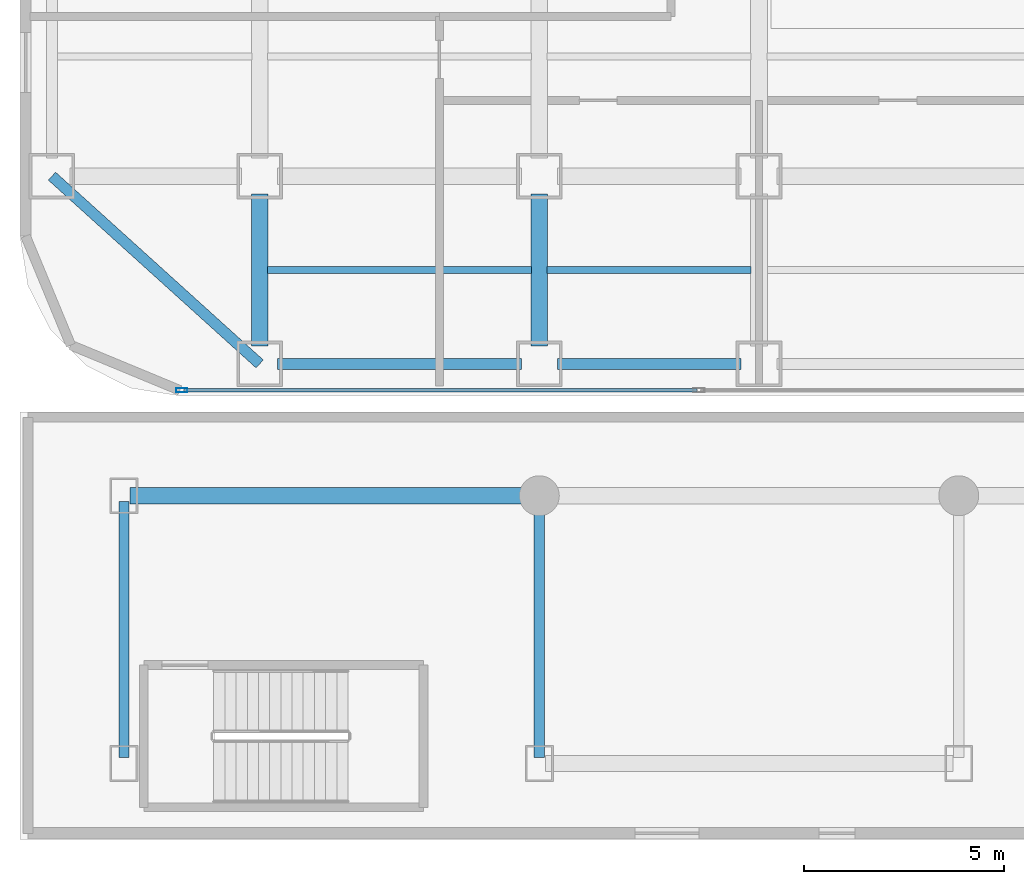
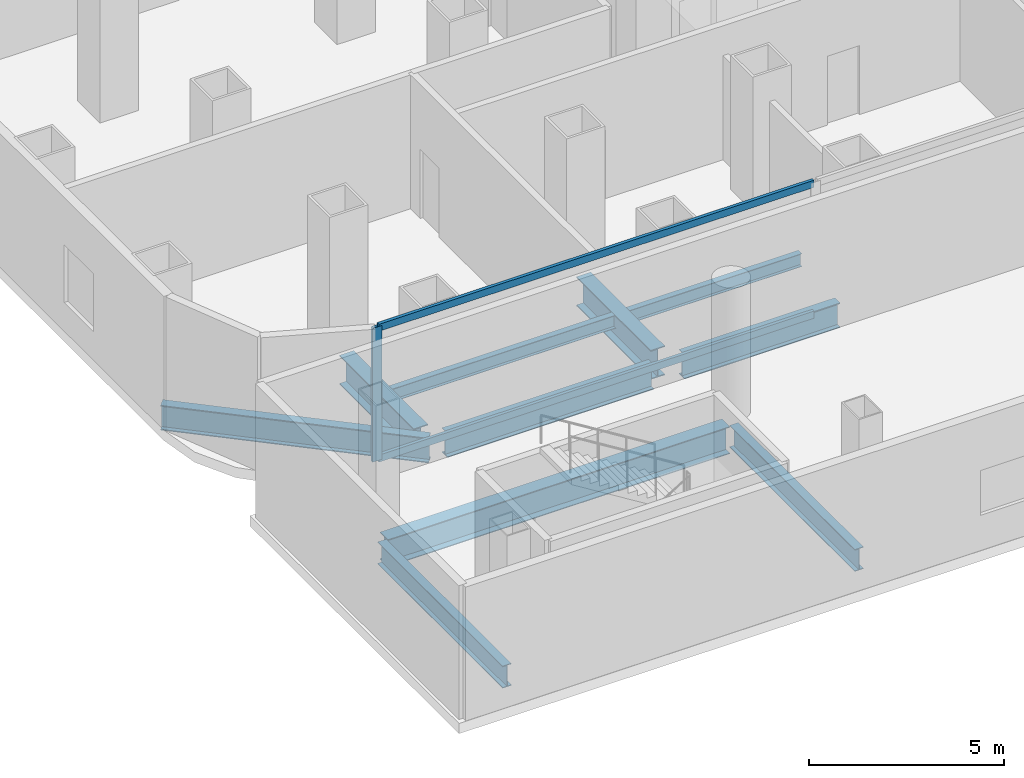
# One storey, part 6 of 27: 10 beams, 3 members, 1 element without a shape of its own.
"""IFC4 building model written with IfcOpenShell, lengths in metres."""

import ifcopenshell
import ifcopenshell.guid

model = None  # the IFC model being written
_history = None  # IfcOwnerHistory: only IFC2X3 demands one
_inside = {}  # id of a spatial element -> (the spatial element, [elements in it])
_under = {}  # id of a project, library or spatial element -> (it, [spatial elements below it])
_declared = {}  # id of a project -> (the project, [libraries it declares])
_typed = {}  # id of a type object -> (the type object, [elements of that type])
_made_of = {}  # id of a material, layer set ... -> (it, [elements and type objects made of it])


def new_model(schema):
    """Start an empty IFC model of exactly this schema.

    Asked for "IFC4X3", IfcOpenShell would pick the latest addendum, in which some entities
    have other attributes; the version numbers below select the first issue.
    IFC2X3 requires an IfcOwnerHistory on every rooted entity: one is made here for all.
    """
    global model, _history
    if schema == "IFC4X3":
        model = ifcopenshell.file(schema_version=(4, 3, 0, 0))
    else:
        model = ifcopenshell.file(schema=schema)
    _inside.clear()
    _under.clear()
    _declared.clear()
    _typed.clear()
    _made_of.clear()
    _history = None
    if model.schema == "IFC2X3":
        org = make("IfcOrganization", Name="unknown")
        user = make(
            "IfcPersonAndOrganization",
            ThePerson=make("IfcPerson", FamilyName="unknown"),
            TheOrganization=org,
        )
        app = make(
            "IfcApplication",
            ApplicationDeveloper=org,
            Version="unknown",
            ApplicationFullName="unknown",
            ApplicationIdentifier="unknown",
        )
        _history = make(
            "IfcOwnerHistory",
            OwningUser=user,
            OwningApplication=app,
            ChangeAction="ADDED",
            CreationDate=0,
        )
    return model


def make(cls, **values):
    """One entity of the class cls with the attributes given. An attribute that is None is left unset."""
    return model.create_entity(
        cls, **{name: value for name, value in values.items() if value is not None}
    )


def rooted(cls, **values):
    """An entity with a GlobalId (a new one), such as an element, a storey or a relation."""
    return make(cls, GlobalId=ifcopenshell.guid.new(), OwnerHistory=_history, **values)


def si_unit(unit_type, name, prefix=None):
    """IfcSIUnit, for example si_unit("LENGTHUNIT", "METRE", prefix="MILLI")."""
    return make("IfcSIUnit", UnitType=unit_type, Prefix=prefix, Name=name)


def assignment(units):
    """IfcUnitAssignment: the units of a project."""
    return None if units is None else make("IfcUnitAssignment", Units=units)


def point(xyz):
    """IfcCartesianPoint."""
    return None if xyz is None else make("IfcCartesianPoint", Coordinates=xyz)


def direction(xyz):
    """IfcDirection."""
    return None if xyz is None else make("IfcDirection", DirectionRatios=xyz)


def frame(location, z_axis=None, x_axis=None):
    """IfcAxis2Placement3D, a coordinate frame: its origin and axes. An axis left out is left unset."""
    return make(
        "IfcAxis2Placement3D",
        Location=point(location),
        Axis=direction(z_axis),
        RefDirection=direction(x_axis),
    )


def frame_2d(location, x_axis=None):
    """IfcAxis2Placement2D, a coordinate frame in the plane: its origin and x axis."""
    return make(
        "IfcAxis2Placement2D", Location=point(location), RefDirection=direction(x_axis)
    )


def origin():
    """The frame at (0, 0, 0) with its axes left unset."""
    return frame((0.0, 0.0, 0.0))


def origin_2d():
    """The frame at (0, 0) in the plane with its x axis left unset."""
    return frame_2d((0.0, 0.0))


def place(relative_to, where):
    """IfcLocalPlacement: puts the frame where relative to a parent placement (None: the world)."""
    return make(
        "IfcLocalPlacement", PlacementRelTo=relative_to, RelativePlacement=where
    )


def context(
    kind, dimensions, precision=None, world=None, true_north=None, identifier=None
):
    """IfcGeometricRepresentationContext, for example the 3D "Model" context."""
    return make(
        "IfcGeometricRepresentationContext",
        ContextIdentifier=identifier,
        ContextType=kind,
        CoordinateSpaceDimension=dimensions,
        Precision=precision,
        WorldCoordinateSystem=world,
        TrueNorth=true_north,
    )


def subcontext(parent, identifier, kind, view, scale=None):
    """IfcGeometricRepresentationSubContext, for example "Body" below "Model"."""
    return make(
        "IfcGeometricRepresentationSubContext",
        ContextIdentifier=identifier,
        ContextType=kind,
        ParentContext=parent,
        TargetScale=scale,
        TargetView=view,
    )


def project(units=None, contexts=None):
    """IfcProject with its units and contexts."""
    return rooted(
        "IfcProject",
        Name="project",
        RepresentationContexts=contexts,
        UnitsInContext=assignment(units),
    )


def spatial(cls, under=None, at=None, **own):
    """A site, building, storey or space (cls), placed at a placement, below another one or the project."""
    s = rooted(cls, ObjectPlacement=at, **own)
    if under is not None:
        _under.setdefault(under.id(), (under, []))[1].append(s)
    return s


def profile(cls, at=None, kind="AREA", **sizes):
    """A parametric profile (cls). Its sizes go by their IFC names, for example OverallWidth=200.0."""
    return make(cls, ProfileType=kind, Position=at, **sizes)


def hollow_rectangle(**sizes):
    """IfcRectangleHollowProfileDef."""
    return profile("IfcRectangleHollowProfileDef", **sizes)


def i_section(**sizes):
    """IfcIShapeProfileDef."""
    return profile("IfcIShapeProfileDef", **sizes)


def extrude(swept, where, along, depth):
    """IfcExtrudedAreaSolid: the profile swept, set in the frame where, extruded along a direction by depth."""
    return make(
        "IfcExtrudedAreaSolid",
        SweptArea=swept,
        Position=where,
        ExtrudedDirection=direction(along),
        Depth=depth,
    )


def shape(context_of_items, identifier, shape_type, items):
    """IfcShapeRepresentation: the items that make up one representation, for example the "Body"."""
    return make(
        "IfcShapeRepresentation",
        ContextOfItems=context_of_items,
        RepresentationIdentifier=identifier,
        RepresentationType=shape_type,
        Items=items,
    )


def source(mapping_origin, context_of_items, identifier, shape_type, items):
    """IfcRepresentationMap: a shape defined once, which mapped items show again and again."""
    return make(
        "IfcRepresentationMap",
        MappingOrigin=mapping_origin,
        MappedRepresentation=shape(context_of_items, identifier, shape_type, items),
    )


def transform(
    local_origin,
    x_axis=None,
    y_axis=None,
    z_axis=None,
    scale=None,
    scale2=None,
    scale3=None,
    uniform=True,
):
    """IfcCartesianTransformationOperator3D, or its non-uniform kind. x_axis, y_axis, z_axis: its Axis1, 2, 3."""
    if uniform:
        return make(
            "IfcCartesianTransformationOperator3D",
            Axis1=direction(x_axis),
            Axis2=direction(y_axis),
            LocalOrigin=point(local_origin),
            Scale=scale,
            Axis3=direction(z_axis),
        )
    return make(
        "IfcCartesianTransformationOperator3DnonUniform",
        Axis1=direction(x_axis),
        Axis2=direction(y_axis),
        LocalOrigin=point(local_origin),
        Scale=scale,
        Axis3=direction(z_axis),
        Scale2=scale2,
        Scale3=scale3,
    )


def mapped(mapping_source, mapping_target):
    """IfcMappedItem: shows the shape of a source again, moved by a transform."""
    return make(
        "IfcMappedItem", MappingSource=mapping_source, MappingTarget=mapping_target
    )


def material(Name=None, Category=None):
    """IfcMaterial."""
    return make("IfcMaterial", Name=Name, Category=Category)


def layer(
    of_material, thickness, ventilated=None, Name=None, Category=None, Priority=None
):
    """IfcMaterialLayer: one layer of a wall or slab, of a material (None: an air gap)."""
    return make(
        "IfcMaterialLayer",
        Material=of_material,
        LayerThickness=thickness,
        IsVentilated=ventilated,
        Name=Name,
        Category=Category,
        Priority=Priority,
    )


def layer_set(layers, Name=None):
    """IfcMaterialLayerSet."""
    return make("IfcMaterialLayerSet", MaterialLayers=layers, LayerSetName=Name)


def material_profile(
    of_material, cross_section, Name=None, Category=None, Priority=None
):
    """IfcMaterialProfile: a cross section and its material."""
    return make(
        "IfcMaterialProfile",
        Name=Name,
        Material=of_material,
        Profile=cross_section,
        Priority=Priority,
        Category=Category,
    )


def profile_set(profiles, Name=None, composite=None):
    """IfcMaterialProfileSet."""
    return make(
        "IfcMaterialProfileSet",
        Name=Name,
        MaterialProfiles=profiles,
        CompositeProfile=composite,
    )


def made_of(thing, what):
    """Note that an element or type object is made of a material, layer set ...; save() writes the relation."""
    if what is not None:
        _made_of.setdefault(what.id(), (what, []))[1].append(thing)
    return thing


def type_object(cls, material=None, **own):
    """A type object (cls), such as IfcWallType, which elements share."""
    return made_of(rooted(cls, **own), material)


def element(
    cls,
    number,
    at=None,
    inside=None,
    cuts=None,
    type_object=None,
    material=None,
    context=None,
    identifier="Body",
    shape_type=None,
    held_by="IfcProductDefinitionShape",
    body=None,
    shapes=None,
    **own,
):
    """One element of the class cls, such as IfcWall. Its Tag is "e" and its number.

    at: its placement. inside: the storey or other place that contains it. cuts: it is an
    opening in that element (IfcRelVoidsElement). A single representation is given by context,
    identifier, shape_type and body (its items); several are given by shapes. held_by: the class
    of the entity that holds the representations. save() writes the other relations.
    """
    e = rooted(cls, Tag="e%d" % number, ObjectPlacement=at, **own)
    if body is not None:
        shapes = [shape(context, identifier, shape_type, body)]
    if shapes is not None:
        e.Representation = make(held_by, Representations=shapes)
    if inside is not None:
        _inside.setdefault(inside.id(), (inside, []))[1].append(e)
    if cuts is not None:
        rooted(
            "IfcRelVoidsElement", RelatingBuildingElement=cuts, RelatedOpeningElement=e
        )
    if type_object is not None:
        _typed.setdefault(type_object.id(), (type_object, []))[1].append(e)
    return made_of(e, material)


def aggregate(whole, parts):
    """IfcRelAggregates: a whole, such as a stair, and the parts it consists of."""
    return rooted("IfcRelAggregates", RelatingObject=whole, RelatedObjects=parts)


def save(model, path):
    """Write the relations noted so far, then the file.

    IfcRelAggregates (storeys below a building ...), IfcRelContainedInSpatialStructure (elements
    in a storey), IfcRelDefinesByType, IfcRelAssociatesMaterial and IfcRelDeclares: one each for
    every whole, place, type object, material and project.
    """
    for whole, parts in _under.values():
        aggregate(whole, parts)
    for where, things in _inside.values():
        rooted(
            "IfcRelContainedInSpatialStructure",
            RelatedElements=things,
            RelatingStructure=where,
        )
    for kind, things in _typed.values():
        rooted("IfcRelDefinesByType", RelatedObjects=things, RelatingType=kind)
    for what, things in _made_of.values():
        rooted("IfcRelAssociatesMaterial", RelatedObjects=things, RelatingMaterial=what)
    for by, libraries in _declared.values():
        rooted("IfcRelDeclares", RelatingContext=by, RelatedDefinitions=libraries)
    model.write(path)


model = new_model("IFC4")

# Units and contexts
model_context = context("Model", 3, precision=1e-05, world=origin(), true_north=direction((0.0, 1.0)))
body_context = subcontext(model_context, "Body", "Model", "MODEL_VIEW")
ifc_project = project(units=[si_unit("LENGTHUNIT", "METRE"), si_unit("AREAUNIT", "SQUARE_METRE"), si_unit("VOLUMEUNIT", "CUBIC_METRE"), si_unit("PLANEANGLEUNIT", "RADIAN"), si_unit("MASSUNIT", "GRAM", prefix="KILO")], contexts=[model_context])

# Site, building, storey
site_placement = place(None, origin())
site = spatial("IfcSite", under=ifc_project, at=site_placement, CompositionType="ELEMENT")
building_placement = place(site_placement, origin())
building = spatial("IfcBuilding", under=site, at=building_placement, Name="Kolveth Station Tower", CompositionType="ELEMENT")
storey_placement = place(building_placement, frame((0.0, 0.0, 13.5)))
storey = spatial("IfcBuildingStorey", under=building, at=storey_placement, Name="L03", CompositionType="ELEMENT", Elevation=13.5)

# Beams
ifc_material_1 = material(Name="Steel S355", Category="steel")
ifc_material_profile_1 = material_profile(ifc_material_1, i_section(OverallWidth=0.26904296875, OverallDepth=0.77490234375, WebThickness=0.01708984375, FlangeThickness=0.0283203125, at=origin_2d()), Name="W760x220")
ifc_profile_set_1 = profile_set([ifc_material_profile_1], Name="Steel S355")
beam_type_1 = type_object("IfcBeamType", Name="Beam_SP1", PredefinedType="SPANDREL", material=ifc_profile_set_1)
shared_shape_1 = source(origin(), body_context, "Body", "SweptSolid", [
    extrude(i_section(OverallWidth=0.26904296875, OverallDepth=0.77490234375, WebThickness=0.01708984375, FlangeThickness=0.0283203125, at=origin_2d()), origin(), (0.0, 0.0, 1.0), 6.10009765625),
])
beam_1_placement = place(storey_placement, frame((6.449951171875, 0.800048828125, -0.70751953125), z_axis=(1.0, 0.0, 0.0), x_axis=(0.0, 1.0, 0.0)))
element("IfcBeam", 1, at=beam_1_placement, inside=storey, type_object=beam_type_1, Name="L03 Perimeter Spandrel BM-L03-PS-1", PredefinedType="SPANDREL", context=body_context, shape_type="MappedRepresentation", body=[
    mapped(shared_shape_1, transform((0.0, 0.0, 0.0), x_axis=(1.0, 0.0, 0.0), y_axis=(0.0, 1.0, 0.0), z_axis=(0.0, 0.0, 1.0), scale=1.0)),
])
shared_shape_2 = source(origin(), body_context, "Body", "SweptSolid", [
    extrude(i_section(OverallWidth=0.26904296875, OverallDepth=0.77490234375, WebThickness=0.01708984375, FlangeThickness=0.0283203125, at=origin_2d()), origin(), (0.0, 0.0, 1.0), 4.60009765625),
])
beam_2_placement = place(storey_placement, frame((13.449951171875, 0.800048828125, -0.70751953125), z_axis=(1.0, 0.0, 0.0), x_axis=(0.0, 1.0, 0.0)))
element("IfcBeam", 2, at=beam_2_placement, inside=storey, type_object=beam_type_1, Name="L03 Perimeter Spandrel BM-L03-PS-2", PredefinedType="SPANDREL", context=body_context, shape_type="MappedRepresentation", body=[
    mapped(shared_shape_2, transform((0.0, 0.0, 0.0), x_axis=(1.0, 0.0, 0.0), y_axis=(0.0, 1.0, 0.0), z_axis=(0.0, 0.0, 1.0), scale=1.0)),
])
shared_shape_3 = source(origin(), body_context, "Body", "SweptSolid", [
    extrude(i_section(OverallWidth=0.26904296875, OverallDepth=0.77490234375, WebThickness=0.01708984375, FlangeThickness=0.0283203125, at=origin_2d()), origin(), (0.0, 0.0, 1.0), 7.00927734375),
])
beam_3_placement = place(storey_placement, frame((0.800048828125, 5.5, -0.70751953125), z_axis=(0.741874009795, -0.670539300557, 0.0), x_axis=(0.670539300557, 0.741874009795, 0.0)))
element("IfcBeam", 3, at=beam_3_placement, inside=storey, type_object=beam_type_1, Name="L03 Corner Edge Girder BM-L03-CNR-SW", PredefinedType="SPANDREL", context=body_context, shape_type="MappedRepresentation", body=[
    mapped(shared_shape_3, transform((0.0, 0.0, 0.0), x_axis=(1.0, 0.0, 0.0), y_axis=(0.0, 1.0, 0.0), z_axis=(0.0, 0.0, 1.0), scale=1.0)),
])
ifc_material_profile_2 = material_profile(ifc_material_1, i_section(OverallWidth=0.41796875, OverallDepth=0.912109375, WebThickness=0.019287109375, FlangeThickness=0.031982421875, at=origin_2d()), Name="W920x342")
ifc_profile_set_2 = profile_set([ifc_material_profile_2], Name="Steel S355")
beam_type_2 = type_object("IfcBeamType", Name="Beam_B1", PredefinedType="BEAM", material=ifc_profile_set_2)
shared_shape_4 = source(origin(), body_context, "Body", "SweptSolid", [
    extrude(i_section(OverallWidth=0.41796875, OverallDepth=0.912109375, WebThickness=0.019287109375, FlangeThickness=0.031982421875, at=origin_2d()), origin(), (0.0, 0.0, 1.0), 3.800048828125),
])
for number, where, z_axis, x_axis, name in (
    (4, (6.0, 1.25, -0.77587890625), (0.0, 1.0, 0.0), (-1.0, 0.0, 0.0), "L03 Primary Girder BM-L03-GX60-1"),
    (5, (13.0, 1.25, -0.77587890625), (0.0, 1.0, 0.0), (-1.0, 0.0, 0.0), "L03 Primary Girder BM-L03-GX130-1"),
):
    element("IfcBeam", number, at=place(storey_placement, frame(where, z_axis=z_axis, x_axis=x_axis)), inside=storey, type_object=beam_type_2, Name=name, PredefinedType="BEAM", context=body_context, shape_type="MappedRepresentation", body=[
        mapped(shared_shape_4, transform((0.0, 0.0, 0.0), x_axis=(1.0, 0.0, 0.0), y_axis=(0.0, 1.0, 0.0), z_axis=(0.0, 0.0, 1.0), scale=1.0)),
    ])
ifc_material_profile_3 = material_profile(ifc_material_1, i_section(OverallWidth=0.177978515625, OverallDepth=0.406982421875, WebThickness=0.0078125, FlangeThickness=0.0126953125, at=origin_2d()), Name="W410x60")
ifc_profile_set_3 = profile_set([ifc_material_profile_3], Name="Steel S355")
beam_type_3 = type_object("IfcBeamType", Name="Beam_J1", PredefinedType="JOIST", material=ifc_profile_set_3)
shared_shape_5 = source(origin(), body_context, "Body", "SweptSolid", [
    extrude(i_section(OverallWidth=0.177978515625, OverallDepth=0.406982421875, WebThickness=0.0078125, FlangeThickness=0.0126953125, at=origin_2d()), origin(), (0.0, 0.0, 1.0), 6.60986328125),
])
beam_4_placement = place(storey_placement, frame((6.195068359375, 3.14990234375, -0.5234375), z_axis=(1.0, 0.0, 0.0), x_axis=(0.0, 1.0, 0.0)))
element("IfcBeam", 6, at=beam_4_placement, inside=storey, type_object=beam_type_3, Name="L03 Secondary Joist JST-L03-2-1", PredefinedType="JOIST", context=body_context, shape_type="MappedRepresentation", body=[
    mapped(shared_shape_5, transform((0.0, 0.0, 0.0), x_axis=(1.0, 0.0, 0.0), y_axis=(0.0, 1.0, 0.0), z_axis=(0.0, 0.0, 1.0), scale=1.0)),
])
shared_shape_6 = source(origin(), body_context, "Body", "SweptSolid", [
    extrude(i_section(OverallWidth=0.177978515625, OverallDepth=0.406982421875, WebThickness=0.0078125, FlangeThickness=0.0126953125, at=origin_2d()), origin(), (0.0, 0.0, 1.0), 5.10986328125),
])
beam_5_placement = place(storey_placement, frame((13.195068359375, 3.14990234375, -0.5234375), z_axis=(1.0, 0.0, 0.0), x_axis=(0.0, 1.0, 0.0)))
element("IfcBeam", 7, at=beam_5_placement, inside=storey, type_object=beam_type_3, Name="L03 Secondary Joist JST-L03-3-1", PredefinedType="JOIST", context=body_context, shape_type="MappedRepresentation", body=[
    mapped(shared_shape_6, transform((0.0, 0.0, 0.0), x_axis=(1.0, 0.0, 0.0), y_axis=(0.0, 1.0, 0.0), z_axis=(0.0, 0.0, 1.0), scale=1.0)),
])
ifc_material_profile_4 = material_profile(ifc_material_1, i_section(OverallWidth=0.40087890625, OverallDepth=0.85107421875, WebThickness=0.01611328125, FlangeThickness=0.025390625, at=origin_2d()), Name="W840x226")
ifc_profile_set_4 = profile_set([ifc_material_profile_4], Name="Steel S355")
beam_type_4 = type_object("IfcBeamType", Name="Beam_B2", PredefinedType="BEAM", material=ifc_profile_set_4)
shared_shape_7 = source(origin(), body_context, "Body", "SweptSolid", [
    extrude(i_section(OverallWidth=0.40087890625, OverallDepth=0.85107421875, WebThickness=0.01611328125, FlangeThickness=0.025390625, at=origin_2d()), origin(), (0.0, 0.0, 1.0), 10.10009765625),
])
beam_6_placement = place(storey_placement, frame((2.75, -2.5, -0.74560546875), z_axis=(1.0, 0.0, 0.0), x_axis=(0.0, 1.0, 0.0)))
element("IfcBeam", 8, at=beam_6_placement, inside=storey, type_object=beam_type_4, Name="L03 Station Concourse Girder SBM-L03-SL2-1", PredefinedType="BEAM", context=body_context, shape_type="MappedRepresentation", body=[
    mapped(shared_shape_7, transform((0.0, 0.0, 0.0), x_axis=(1.0, 0.0, 0.0), y_axis=(0.0, 1.0, 0.0), z_axis=(0.0, 0.0, 1.0), scale=1.0)),
])
ifc_material_profile_5 = material_profile(ifc_material_1, i_section(OverallWidth=0.25390625, OverallDepth=0.68798828125, WebThickness=0.01318359375, FlangeThickness=0.02099609375, at=origin_2d()), Name="W690x152")
ifc_profile_set_5 = profile_set([ifc_material_profile_5], Name="Steel S355")
beam_type_5 = type_object("IfcBeamType", Name="Beam_B4", PredefinedType="BEAM", material=ifc_profile_set_5)
shared_shape_8 = source(origin(), body_context, "Body", "SweptSolid", [
    extrude(i_section(OverallWidth=0.25390625, OverallDepth=0.68798828125, WebThickness=0.01318359375, FlangeThickness=0.02099609375, at=origin_2d()), origin(), (0.0, 0.0, 1.0), 6.400146484375),
])
for number, where, z_axis, x_axis, name in (
    (9, (2.60009765625, -9.050048828125, -0.6640625), (0.0, 1.0, 0.0), (-1.0, 0.0, 0.0), "L03 Station Transverse Beam SBM-L03-ST-1"),
    (10, (13.0, -9.050048828125, -0.6640625), (0.0, 1.0, 0.0), (-1.0, 0.0, 0.0), "L03 Station Transverse Beam SBM-L03-ST-2"),
):
    element("IfcBeam", number, at=place(storey_placement, frame(where, z_axis=z_axis, x_axis=x_axis)), inside=storey, type_object=beam_type_5, Name=name, PredefinedType="BEAM", context=body_context, shape_type="MappedRepresentation", body=[
        mapped(shared_shape_8, transform((0.0, 0.0, 0.0), x_axis=(1.0, 0.0, 0.0), y_axis=(0.0, 1.0, 0.0), z_axis=(0.0, 0.0, 1.0), scale=1.0)),
    ])

# Curtain wall, members
ifc_material_2 = material(Name="Black anodized aluminium 6063-T6 and clear station glass", Category="aluminium")
ifc_layer = layer(ifc_material_2, 0.239990234375)
ifc_layer_set = layer_set([ifc_layer], Name="Black anodized aluminium 6063-T6 and clear station glass")
curtain_wall_type = type_object("IfcCurtainWallType", Name="CurtainWall_CW-ST", PredefinedType="NOTDEFINED", material=ifc_layer_set)
curtain_wall_placement = place(storey_placement, origin())
curtain_wall = element("IfcCurtainWall", 11, at=curtain_wall_placement, inside=storey, type_object=curtain_wall_type, Name="L03 Tower Podium South Storefront Curtain Wall", PredefinedType="NOTDEFINED")
ifc_material_3 = material(Name="Black anodized aluminium 6063-T6", Category="aluminium")
ifc_material_profile_6 = material_profile(ifc_material_3, hollow_rectangle(XDim=0.10009765625, YDim=0.280029296875, WallThickness=0.0048828125, at=origin_2d()), Name="ALU-100x280x5")
ifc_profile_set_6 = profile_set([ifc_material_profile_6], Name="Black anodized aluminium 6063-T6")
member_type_1 = type_object("IfcMemberType", Name="Mullion_ML-ST", PredefinedType="MULLION", material=ifc_profile_set_6)
shared_shape_9 = source(origin(), body_context, "Body", "SweptSolid", [
    extrude(hollow_rectangle(XDim=0.10009765625, YDim=0.280029296875, WallThickness=0.0048828125, at=origin_2d()), origin(), (0.0, 0.0, 1.0), 4.179931640625),
])
member_1_placement = place(storey_placement, frame((4.050048828125, 0.139892578125, 0.0), z_axis=(0.0, 0.0, 1.0), x_axis=(0.0, 1.0, 0.0)))
member_1 = element("IfcMember", 12, at=member_1_placement, type_object=member_type_1, Name="CW-ST mullion 1", PredefinedType="MULLION", context=body_context, shape_type="MappedRepresentation", body=[
    mapped(shared_shape_9, transform((0.0, 0.0, 0.0), x_axis=(1.0, 0.0, 0.0), y_axis=(0.0, 1.0, 0.0), z_axis=(0.0, 0.0, 1.0), scale=1.0)),
])
ifc_material_profile_7 = material_profile(ifc_material_3, hollow_rectangle(XDim=0.094970703125, YDim=0.219970703125, WallThickness=0.0048828125, at=origin_2d()), Name="ALU-95x220x5")
ifc_profile_set_7 = profile_set([ifc_material_profile_7], Name="Black anodized aluminium 6063-T6")
member_type_2 = type_object("IfcMemberType", Name="Transom_TR-ST", PredefinedType="USERDEFINED", material=ifc_profile_set_7)
shared_shape_10 = source(origin(), body_context, "Body", "SweptSolid", [
    extrude(hollow_rectangle(XDim=0.094970703125, YDim=0.219970703125, WallThickness=0.0048828125, at=origin_2d()), origin(), (0.0, 0.0, 1.0), 12.849853515625),
])
member_2_placement = place(storey_placement, frame((4.10009765625, 0.139892578125, 0.047607421875), z_axis=(1.0, 0.0, 0.0), x_axis=(0.0, 1.0, 0.0)))
member_2 = element("IfcMember", 13, at=member_2_placement, type_object=member_type_2, Name="CW-ST transom 1.1", ObjectType="TRANSOM", PredefinedType="USERDEFINED", context=body_context, shape_type="MappedRepresentation", body=[
    mapped(shared_shape_10, transform((0.0, 0.0, 0.0), x_axis=(1.0, 0.0, 0.0), y_axis=(0.0, 1.0, 0.0), z_axis=(0.0, 0.0, 1.0), scale=1.0)),
])
member_3_placement = place(storey_placement, frame((4.10009765625, 0.139892578125, 4.132568359375), z_axis=(1.0, 0.0, 0.0), x_axis=(0.0, 1.0, 0.0)))
member_3 = element("IfcMember", 14, at=member_3_placement, type_object=member_type_2, Name="CW-ST transom 1.2", ObjectType="TRANSOM", PredefinedType="USERDEFINED", context=body_context, shape_type="MappedRepresentation", body=[
    mapped(shared_shape_10, transform((0.0, 0.0, 0.0), x_axis=(1.0, 0.0, 0.0), y_axis=(0.0, 1.0, 0.0), z_axis=(0.0, 0.0, 1.0), scale=1.0)),
])
aggregate(curtain_wall, [member_1, member_2, member_3])

save(model, "model.ifc")
